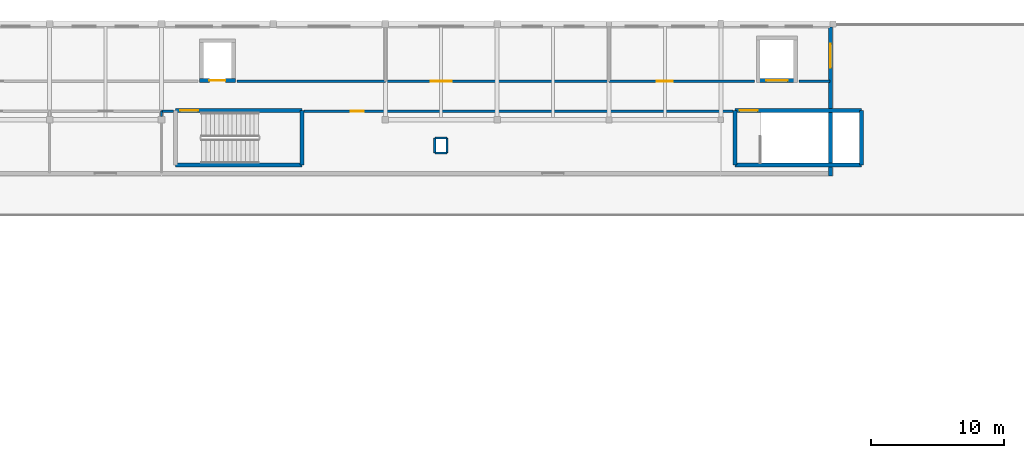
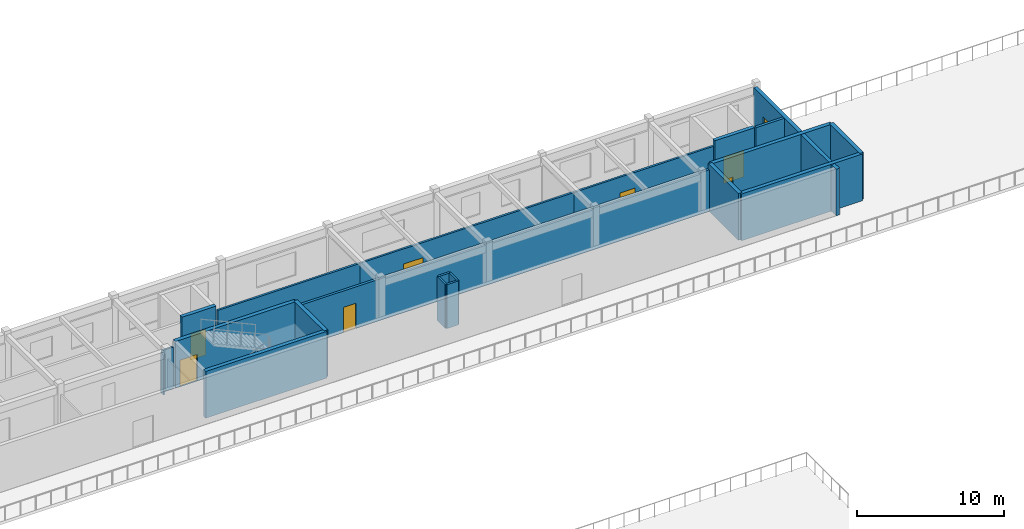
# One storey, part 7 of 14: 21 walls, 8 doors, 8 openings.
"""IFC4 building model written with IfcOpenShell, lengths in metres."""

import ifcopenshell
import ifcopenshell.guid

model = None  # the IFC model being written
_history = None  # IfcOwnerHistory: only IFC2X3 demands one
_inside = {}  # id of a spatial element -> (the spatial element, [elements in it])
_under = {}  # id of a project, library or spatial element -> (it, [spatial elements below it])
_declared = {}  # id of a project -> (the project, [libraries it declares])
_typed = {}  # id of a type object -> (the type object, [elements of that type])
_made_of = {}  # id of a material, layer set ... -> (it, [elements and type objects made of it])


def new_model(schema):
    """Start an empty IFC model of exactly this schema.

    Asked for "IFC4X3", IfcOpenShell would pick the latest addendum, in which some entities
    have other attributes; the version numbers below select the first issue.
    IFC2X3 requires an IfcOwnerHistory on every rooted entity: one is made here for all.
    """
    global model, _history
    if schema == "IFC4X3":
        model = ifcopenshell.file(schema_version=(4, 3, 0, 0))
    else:
        model = ifcopenshell.file(schema=schema)
    _inside.clear()
    _under.clear()
    _declared.clear()
    _typed.clear()
    _made_of.clear()
    _history = None
    if model.schema == "IFC2X3":
        org = make("IfcOrganization", Name="unknown")
        user = make(
            "IfcPersonAndOrganization",
            ThePerson=make("IfcPerson", FamilyName="unknown"),
            TheOrganization=org,
        )
        app = make(
            "IfcApplication",
            ApplicationDeveloper=org,
            Version="unknown",
            ApplicationFullName="unknown",
            ApplicationIdentifier="unknown",
        )
        _history = make(
            "IfcOwnerHistory",
            OwningUser=user,
            OwningApplication=app,
            ChangeAction="ADDED",
            CreationDate=0,
        )
    return model


def make(cls, **values):
    """One entity of the class cls with the attributes given. An attribute that is None is left unset."""
    return model.create_entity(
        cls, **{name: value for name, value in values.items() if value is not None}
    )


def rooted(cls, **values):
    """An entity with a GlobalId (a new one), such as an element, a storey or a relation."""
    return make(cls, GlobalId=ifcopenshell.guid.new(), OwnerHistory=_history, **values)


def si_unit(unit_type, name, prefix=None):
    """IfcSIUnit, for example si_unit("LENGTHUNIT", "METRE", prefix="MILLI")."""
    return make("IfcSIUnit", UnitType=unit_type, Prefix=prefix, Name=name)


def assignment(units):
    """IfcUnitAssignment: the units of a project."""
    return None if units is None else make("IfcUnitAssignment", Units=units)


def point(xyz):
    """IfcCartesianPoint."""
    return None if xyz is None else make("IfcCartesianPoint", Coordinates=xyz)


def direction(xyz):
    """IfcDirection."""
    return None if xyz is None else make("IfcDirection", DirectionRatios=xyz)


def frame(location, z_axis=None, x_axis=None):
    """IfcAxis2Placement3D, a coordinate frame: its origin and axes. An axis left out is left unset."""
    return make(
        "IfcAxis2Placement3D",
        Location=point(location),
        Axis=direction(z_axis),
        RefDirection=direction(x_axis),
    )


def frame_2d(location, x_axis=None):
    """IfcAxis2Placement2D, a coordinate frame in the plane: its origin and x axis."""
    return make(
        "IfcAxis2Placement2D", Location=point(location), RefDirection=direction(x_axis)
    )


def origin():
    """The frame at (0, 0, 0) with its axes left unset."""
    return frame((0.0, 0.0, 0.0))


def place(relative_to, where):
    """IfcLocalPlacement: puts the frame where relative to a parent placement (None: the world)."""
    return make(
        "IfcLocalPlacement", PlacementRelTo=relative_to, RelativePlacement=where
    )


def context(
    kind, dimensions, precision=None, world=None, true_north=None, identifier=None
):
    """IfcGeometricRepresentationContext, for example the 3D "Model" context."""
    return make(
        "IfcGeometricRepresentationContext",
        ContextIdentifier=identifier,
        ContextType=kind,
        CoordinateSpaceDimension=dimensions,
        Precision=precision,
        WorldCoordinateSystem=world,
        TrueNorth=true_north,
    )


def subcontext(parent, identifier, kind, view, scale=None):
    """IfcGeometricRepresentationSubContext, for example "Body" below "Model"."""
    return make(
        "IfcGeometricRepresentationSubContext",
        ContextIdentifier=identifier,
        ContextType=kind,
        ParentContext=parent,
        TargetScale=scale,
        TargetView=view,
    )


def project(units=None, contexts=None):
    """IfcProject with its units and contexts."""
    return rooted(
        "IfcProject",
        Name="project",
        RepresentationContexts=contexts,
        UnitsInContext=assignment(units),
    )


def spatial(cls, under=None, at=None, **own):
    """A site, building, storey or space (cls), placed at a placement, below another one or the project."""
    s = rooted(cls, ObjectPlacement=at, **own)
    if under is not None:
        _under.setdefault(under.id(), (under, []))[1].append(s)
    return s


def profile(cls, at=None, kind="AREA", **sizes):
    """A parametric profile (cls). Its sizes go by their IFC names, for example OverallWidth=200.0."""
    return make(cls, ProfileType=kind, Position=at, **sizes)


def rectangle(**sizes):
    """IfcRectangleProfileDef."""
    return profile("IfcRectangleProfileDef", **sizes)


def extrude(swept, where, along, depth):
    """IfcExtrudedAreaSolid: the profile swept, set in the frame where, extruded along a direction by depth."""
    return make(
        "IfcExtrudedAreaSolid",
        SweptArea=swept,
        Position=where,
        ExtrudedDirection=direction(along),
        Depth=depth,
    )


def shape(context_of_items, identifier, shape_type, items):
    """IfcShapeRepresentation: the items that make up one representation, for example the "Body"."""
    return make(
        "IfcShapeRepresentation",
        ContextOfItems=context_of_items,
        RepresentationIdentifier=identifier,
        RepresentationType=shape_type,
        Items=items,
    )


def material(Name=None, Category=None):
    """IfcMaterial."""
    return make("IfcMaterial", Name=Name, Category=Category)


def layer(
    of_material, thickness, ventilated=None, Name=None, Category=None, Priority=None
):
    """IfcMaterialLayer: one layer of a wall or slab, of a material (None: an air gap)."""
    return make(
        "IfcMaterialLayer",
        Material=of_material,
        LayerThickness=thickness,
        IsVentilated=ventilated,
        Name=Name,
        Category=Category,
        Priority=Priority,
    )


def layer_set(layers, Name=None):
    """IfcMaterialLayerSet."""
    return make("IfcMaterialLayerSet", MaterialLayers=layers, LayerSetName=Name)


def made_of(thing, what):
    """Note that an element or type object is made of a material, layer set ...; save() writes the relation."""
    if what is not None:
        _made_of.setdefault(what.id(), (what, []))[1].append(thing)
    return thing


def type_object(cls, material=None, **own):
    """A type object (cls), such as IfcWallType, which elements share."""
    return made_of(rooted(cls, **own), material)


def element(
    cls,
    number,
    at=None,
    inside=None,
    cuts=None,
    type_object=None,
    material=None,
    context=None,
    identifier="Body",
    shape_type=None,
    held_by="IfcProductDefinitionShape",
    body=None,
    shapes=None,
    **own,
):
    """One element of the class cls, such as IfcWall. Its Tag is "e" and its number.

    at: its placement. inside: the storey or other place that contains it. cuts: it is an
    opening in that element (IfcRelVoidsElement). A single representation is given by context,
    identifier, shape_type and body (its items); several are given by shapes. held_by: the class
    of the entity that holds the representations. save() writes the other relations.
    """
    e = rooted(cls, Tag="e%d" % number, ObjectPlacement=at, **own)
    if body is not None:
        shapes = [shape(context, identifier, shape_type, body)]
    if shapes is not None:
        e.Representation = make(held_by, Representations=shapes)
    if inside is not None:
        _inside.setdefault(inside.id(), (inside, []))[1].append(e)
    if cuts is not None:
        rooted(
            "IfcRelVoidsElement", RelatingBuildingElement=cuts, RelatedOpeningElement=e
        )
    if type_object is not None:
        _typed.setdefault(type_object.id(), (type_object, []))[1].append(e)
    return made_of(e, material)


def fill(opening, filler):
    """IfcRelFillsElement: the door or window that sits in an opening."""
    return rooted(
        "IfcRelFillsElement",
        RelatingOpeningElement=opening,
        RelatedBuildingElement=filler,
    )


def aggregate(whole, parts):
    """IfcRelAggregates: a whole, such as a stair, and the parts it consists of."""
    return rooted("IfcRelAggregates", RelatingObject=whole, RelatedObjects=parts)


def save(model, path):
    """Write the relations noted so far, then the file.

    IfcRelAggregates (storeys below a building ...), IfcRelContainedInSpatialStructure (elements
    in a storey), IfcRelDefinesByType, IfcRelAssociatesMaterial and IfcRelDeclares: one each for
    every whole, place, type object, material and project.
    """
    for whole, parts in _under.values():
        aggregate(whole, parts)
    for where, things in _inside.values():
        rooted(
            "IfcRelContainedInSpatialStructure",
            RelatedElements=things,
            RelatingStructure=where,
        )
    for kind, things in _typed.values():
        rooted("IfcRelDefinesByType", RelatedObjects=things, RelatingType=kind)
    for what, things in _made_of.values():
        rooted("IfcRelAssociatesMaterial", RelatedObjects=things, RelatingMaterial=what)
    for by, libraries in _declared.values():
        rooted("IfcRelDeclares", RelatingContext=by, RelatedDefinitions=libraries)
    model.write(path)


model = new_model("IFC4")

# Units and contexts
model_context = context("Model", 3, precision=1e-05, world=origin(), true_north=direction((0.0, 1.0)))
body_context = subcontext(model_context, "Body", "Model", "MODEL_VIEW")
ifc_project = project(units=[si_unit("LENGTHUNIT", "METRE"), si_unit("AREAUNIT", "SQUARE_METRE"), si_unit("VOLUMEUNIT", "CUBIC_METRE"), si_unit("PLANEANGLEUNIT", "RADIAN"), si_unit("MASSUNIT", "GRAM", prefix="KILO")], contexts=[model_context])

# Site, building, storey
site_placement = place(None, origin())
site = spatial("IfcSite", under=ifc_project, at=site_placement, CompositionType="ELEMENT")
building_placement = place(site_placement, origin())
building = spatial("IfcBuilding", under=site, at=building_placement, Name="Malvenik Polytechnic", CompositionType="ELEMENT")
storey_placement = place(building_placement, frame((0.0, 0.0, 21.89990234375)))
storey = spatial("IfcBuildingStorey", under=building, at=storey_placement, Name="L05", CompositionType="ELEMENT", Elevation=21.89990234375)

# Wall, opening, door
ifc_material_1 = material(Name="Concrete C35/45", Category="concrete")
ifc_layer_1 = layer(ifc_material_1, 0.280029296875)
ifc_layer_set_1 = layer_set([ifc_layer_1], Name="Concrete C35/45")
wall_type_1 = type_object("IfcWallType", Name="ARC-CW-S280", PredefinedType="SHEAR", material=ifc_layer_set_1)
wall_1_placement = place(storey_placement, frame((55.93994140625, 125.35009765625, 0.0), z_axis=(0.0, 0.0, 1.0), x_axis=(-1.0, 0.0, 0.0)))
wall_1 = element("IfcWall", 1, at=wall_1_placement, inside=storey, type_object=wall_type_1, Name="Lift Shaft Shear Wall LS-02 L05 -Y", PredefinedType="SHEAR", context=body_context, shape_type="SweptSolid", body=[
    extrude(rectangle(XDim=2.679931640625, YDim=0.280029296875, at=frame_2d((1.33984375, 0.0))), origin(), (0.0, 0.0, 1.0), 3.880126953125),
])
opening_1_placement = place(wall_1_placement, frame((0.739990234375, 0.0, 0.0)))
opening_1 = element("IfcOpeningElement", 2, at=opening_1_placement, cuts=wall_1, Name="Opening LD-02", PredefinedType="OPENING", context=body_context, shape_type="SweptSolid", body=[
    extrude(rectangle(XDim=1.199951171875, YDim=2.14990234375, at=frame_2d((0.60009765625, 1.074951171875))), frame((0.0, 0.14990234375, 0.0), z_axis=(0.0, -1.0, 0.0), x_axis=(1.0, 0.0, 0.0)), (0.0, 0.0, 1.0), 0.300048828125),
])
ifc_material_2 = material(Name="Stainless steel fire-rated sliding lift landing door", Category="steel")
door_type_1 = type_object("IfcDoorType", Name="ARC-LDR-LD-02", OperationType="NOTDEFINED", PredefinedType="DOOR", material=ifc_material_2)
door_1_placement = place(opening_1_placement, origin())
door_1 = element("IfcDoor", 3, at=door_1_placement, inside=storey, type_object=door_type_1, Name="Lift Sliding Landing Door LS-02 L05", OperationType="DOUBLE_DOOR_SLIDING", OverallHeight=2.14990234375, OverallWidth=1.199951171875, PredefinedType="DOOR", context=body_context, shape_type="SweptSolid", body=[
    extrude(rectangle(XDim=1.199951171875, YDim=2.14990234375, at=frame_2d((0.60009765625, 1.074951171875))), frame((0.0, 0.02490234375, 0.0), z_axis=(0.0, -1.0, 0.0), x_axis=(1.0, 0.0, 0.0)), (0.0, 0.0, 1.0), 0.050048828125),
])
fill(opening_1, door_1)

wall_2_placement = place(storey_placement, frame((98.139892578125, 125.35009765625, 0.0), z_axis=(0.0, 0.0, 1.0), x_axis=(-1.0, 0.0, 0.0)))
wall_2 = element("IfcWall", 4, at=wall_2_placement, inside=storey, type_object=wall_type_1, Name="Lift Shaft Shear Wall LG-01 L05 -Y", PredefinedType="SHEAR", context=body_context, shape_type="SweptSolid", body=[
    extrude(rectangle(XDim=3.079833984375, YDim=0.280029296875, at=frame_2d((1.5400390625, 0.0))), origin(), (0.0, 0.0, 1.0), 3.880126953125),
])
opening_2_placement = place(wall_2_placement, frame((0.739990234375, 0.0, 0.0)))
opening_2 = element("IfcOpeningElement", 5, at=opening_2_placement, cuts=wall_2, Name="Opening LD-03", PredefinedType="OPENING", context=body_context, shape_type="SweptSolid", body=[
    extrude(rectangle(XDim=1.60009765625, YDim=2.199951171875, at=frame_2d((0.800048828125, 1.10009765625))), frame((0.0, 0.14990234375, 0.0), z_axis=(0.0, -1.0, 0.0), x_axis=(1.0, 0.0, 0.0)), (0.0, 0.0, 1.0), 0.300048828125),
])
door_type_2 = type_object("IfcDoorType", Name="ARC-LDR-LD-03", OperationType="NOTDEFINED", PredefinedType="DOOR", material=ifc_material_2)
door_2_placement = place(opening_2_placement, origin())
door_2 = element("IfcDoor", 6, at=door_2_placement, inside=storey, type_object=door_type_2, Name="Lift Sliding Landing Door LG-01 L05", OperationType="DOUBLE_DOOR_SLIDING", OverallHeight=2.199951171875, OverallWidth=1.60009765625, PredefinedType="DOOR", context=body_context, shape_type="SweptSolid", body=[
    extrude(rectangle(XDim=1.60009765625, YDim=2.199951171875, at=frame_2d((0.800048828125, 1.10009765625))), frame((0.0, 0.02490234375, 0.0), z_axis=(0.0, -1.0, 0.0), x_axis=(1.0, 0.0, 0.0)), (0.0, 0.0, 1.0), 0.050048828125),
])
fill(opening_2, door_2)

ifc_layer_2 = layer(ifc_material_1, 0.300048828125)
ifc_layer_set_2 = layer_set([ifc_layer_2], Name="Concrete C35/45")
wall_type_2 = type_object("IfcWallType", Name="ARC-CW-S300", PredefinedType="SHEAR", material=ifc_layer_set_2)
wall_3_placement = place(storey_placement, frame((51.449951171875, 123.10009765625, 0.0), z_axis=(0.0, 0.0, 1.0), x_axis=(1.0, 0.0, 0.0)))
wall_3 = element("IfcWall", 7, at=wall_3_placement, inside=storey, type_object=wall_type_2, Name="Stair Core Shear Wall ST-02 L05 RGHT", PredefinedType="SHEAR", context=body_context, shape_type="SweptSolid", body=[
    extrude(rectangle(XDim=9.5, YDim=0.300048828125, at=frame_2d((4.75, 0.0))), origin(), (0.0, 0.0, 1.0), 3.880126953125),
])
opening_3_placement = place(wall_3_placement, frame((0.35009765625, 0.0, 0.0)))
opening_3 = element("IfcOpeningElement", 8, at=opening_3_placement, cuts=wall_3, Name="Opening SD-01", PredefinedType="OPENING", context=body_context, shape_type="SweptSolid", body=[
    extrude(rectangle(XDim=1.35009765625, YDim=2.199951171875, at=frame_2d((0.675048828125, 1.10009765625))), frame((0.0, 0.16015625, 0.0), z_axis=(0.0, -1.0, 0.0), x_axis=(1.0, 0.0, 0.0)), (0.0, 0.0, 1.0), 0.320068359375),
])
ifc_material_3 = material(Name="Fire-rated steel stair enclosure door", Category="steel")
door_type_3 = type_object("IfcDoorType", Name="ARC-IDR-SD-01", OperationType="NOTDEFINED", PredefinedType="DOOR", material=ifc_material_3)
door_3_placement = place(opening_3_placement, origin())
door_3 = element("IfcDoor", 9, at=door_3_placement, inside=storey, type_object=door_type_3, Name="Fire Stair Door ST-02 L05", OperationType="SINGLE_SWING_RIGHT", OverallHeight=2.199951171875, OverallWidth=1.35009765625, PredefinedType="DOOR", context=body_context, shape_type="SweptSolid", body=[
    extrude(rectangle(XDim=1.35009765625, YDim=2.199951171875, at=frame_2d((0.675048828125, 1.10009765625))), frame((0.0, 0.02490234375, 0.0), z_axis=(0.0, -1.0, 0.0), x_axis=(1.0, 0.0, 0.0)), (0.0, 0.0, 1.0), 0.050048828125),
])
fill(opening_3, door_3)

# Walls
wall_4_placement = place(storey_placement, frame((60.949951171875, 123.10009765625, 0.0), z_axis=(0.0, 0.0, 1.0), x_axis=(0.0, -1.0, 0.0)))
element("IfcWall", 10, at=wall_4_placement, inside=storey, type_object=wall_type_2, Name="Stair Core Shear Wall ST-02 L05 FAR", PredefinedType="SHEAR", context=body_context, shape_type="SweptSolid", body=[
    extrude(rectangle(XDim=4.10009765625, YDim=0.300048828125, at=frame_2d((2.050048828125, 0.0))), origin(), (0.0, 0.0, 1.0), 3.880126953125),
])
wall_5_placement = place(storey_placement, frame((60.949951171875, 119.0, 0.0), z_axis=(0.0, 0.0, 1.0), x_axis=(-1.0, 0.0, 0.0)))
element("IfcWall", 11, at=wall_5_placement, inside=storey, type_object=wall_type_2, Name="Stair Core Shear Wall ST-02 L05 LEFT", PredefinedType="SHEAR", context=body_context, shape_type="SweptSolid", body=[
    extrude(rectangle(XDim=9.5, YDim=0.300048828125, at=frame_2d((4.75, 0.0))), origin(), (0.0, 0.0, 1.0), 3.880126953125),
])
wall_6_placement = place(storey_placement, frame((93.449951171875, 119.0, 0.0), z_axis=(0.0, 0.0, 1.0), x_axis=(0.0, 1.0, 0.0)))
element("IfcWall", 12, at=wall_6_placement, inside=storey, type_object=wall_type_2, Name="Stair Core Shear Wall ST-03 L05 NEAR", PredefinedType="SHEAR", context=body_context, shape_type="SweptSolid", body=[
    extrude(rectangle(XDim=4.10009765625, YDim=0.300048828125, at=frame_2d((2.050048828125, 0.0))), origin(), (0.0, 0.0, 1.0), 3.880126953125),
])

# Wall, opening, door
wall_7_placement = place(storey_placement, frame((93.449951171875, 123.10009765625, 0.0), z_axis=(0.0, 0.0, 1.0), x_axis=(1.0, 0.0, 0.0)))
wall_7 = element("IfcWall", 13, at=wall_7_placement, inside=storey, type_object=wall_type_2, Name="Stair Core Shear Wall ST-03 L05 RGHT", PredefinedType="SHEAR", context=body_context, shape_type="SweptSolid", body=[
    extrude(rectangle(XDim=9.5, YDim=0.300048828125, at=frame_2d((4.75, 0.0))), origin(), (0.0, 0.0, 1.0), 3.880126953125),
])
opening_4_placement = place(wall_7_placement, frame((0.35009765625, 0.0, 0.0)))
opening_4 = element("IfcOpeningElement", 14, at=opening_4_placement, cuts=wall_7, Name="Opening SD-01", PredefinedType="OPENING", context=body_context, shape_type="SweptSolid", body=[
    extrude(rectangle(XDim=1.35009765625, YDim=2.199951171875, at=frame_2d((0.675048828125, 1.10009765625))), frame((0.0, 0.16015625, 0.0), z_axis=(0.0, -1.0, 0.0), x_axis=(1.0, 0.0, 0.0)), (0.0, 0.0, 1.0), 0.320068359375),
])
door_4_placement = place(opening_4_placement, origin())
door_4 = element("IfcDoor", 15, at=door_4_placement, inside=storey, type_object=door_type_3, Name="Fire Stair Door ST-03 L05", OperationType="SINGLE_SWING_RIGHT", OverallHeight=2.199951171875, OverallWidth=1.35009765625, PredefinedType="DOOR", context=body_context, shape_type="SweptSolid", body=[
    extrude(rectangle(XDim=1.35009765625, YDim=2.199951171875, at=frame_2d((0.675048828125, 1.10009765625))), frame((0.0, 0.02490234375, 0.0), z_axis=(0.0, -1.0, 0.0), x_axis=(1.0, 0.0, 0.0)), (0.0, 0.0, 1.0), 0.050048828125),
])
fill(opening_4, door_4)

# Walls
wall_8_placement = place(storey_placement, frame((102.949951171875, 123.10009765625, 0.0), z_axis=(0.0, 0.0, 1.0), x_axis=(0.0, -1.0, 0.0)))
element("IfcWall", 16, at=wall_8_placement, inside=storey, type_object=wall_type_2, Name="Stair Core Shear Wall ST-03 L05 FAR", PredefinedType="SHEAR", context=body_context, shape_type="SweptSolid", body=[
    extrude(rectangle(XDim=4.10009765625, YDim=0.300048828125, at=frame_2d((2.050048828125, 0.0))), origin(), (0.0, 0.0, 1.0), 3.880126953125),
])
wall_9_placement = place(storey_placement, frame((102.949951171875, 119.0, 0.0), z_axis=(0.0, 0.0, 1.0), x_axis=(-1.0, 0.0, 0.0)))
element("IfcWall", 17, at=wall_9_placement, inside=storey, type_object=wall_type_2, Name="Stair Core Shear Wall ST-03 L05 LEFT", PredefinedType="SHEAR", context=body_context, shape_type="SweptSolid", body=[
    extrude(rectangle(XDim=9.5, YDim=0.300048828125, at=frame_2d((4.75, 0.0))), origin(), (0.0, 0.0, 1.0), 3.880126953125),
])

# Wall, opening, door
ifc_material_4 = material(Name="Brick masonry M15", Category="masonry")
ifc_layer_3 = layer(ifc_material_4, 0.2900390625)
ifc_layer_set_3 = layer_set([ifc_layer_3], Name="Brick masonry M15")
wall_type_3 = type_object("IfcWallType", Name="ARC-EW-290", PredefinedType="SOLIDWALL", material=ifc_layer_set_3)
wall_10_placement = place(storey_placement, frame((100.6298828125, 129.376953125, 0.0), z_axis=(0.0, 0.0, 1.0), x_axis=(0.0, -1.0, 0.0)))
wall_10 = element("IfcWall", 18, at=wall_10_placement, inside=storey, type_object=wall_type_3, Name="External Facade Wall EW-04 L05 #481", PredefinedType="SOLIDWALL", context=body_context, shape_type="SweptSolid", body=[
    extrude(rectangle(XDim=11.177001953125, YDim=0.2900390625, at=frame_2d((5.58837890625, 0.0))), origin(), (0.0, 0.0, 1.0), 3.860107421875),
])
opening_5_placement = place(wall_10_placement, frame((1.277099609375, 0.0, 0.0)))
opening_5 = element("IfcOpeningElement", 19, at=opening_5_placement, cuts=wall_10, Name="Opening TD-01", PredefinedType="OPENING", context=body_context, shape_type="SweptSolid", body=[
    extrude(rectangle(XDim=1.800048828125, YDim=2.199951171875, at=frame_2d((0.89990234375, 1.10009765625))), frame((0.0, 0.155029296875, 0.0), z_axis=(0.0, -1.0, 0.0), x_axis=(1.0, 0.0, 0.0)), (0.0, 0.0, 1.0), 0.31005859375),
])
ifc_material_5 = material(Name="Thermally broken glazed aluminium terrace door", Category="aluminium")
door_type_4 = type_object("IfcDoorType", Name="ARC-EDR-TD-01", OperationType="NOTDEFINED", PredefinedType="DOOR", material=ifc_material_5)
door_5_placement = place(opening_5_placement, origin())
door_5 = element("IfcDoor", 20, at=door_5_placement, inside=storey, type_object=door_type_4, Name="External Door TD-01 L05 #46", OperationType="DOUBLE_DOOR_SINGLE_SWING", OverallHeight=2.199951171875, OverallWidth=1.800048828125, PredefinedType="DOOR", context=body_context, shape_type="SweptSolid", body=[
    extrude(rectangle(XDim=1.800048828125, YDim=2.199951171875, at=frame_2d((0.89990234375, 1.10009765625))), frame((0.0, 0.02490234375, 0.0), z_axis=(0.0, -1.0, 0.0), x_axis=(1.0, 0.0, 0.0)), (0.0, 0.0, 1.0), 0.050048828125),
])
fill(opening_5, door_5)

# Wall
ifc_material_6 = material(Name="Calcium silicate fire-rated blockwork 200mm", Category="masonry")
ifc_layer_4 = layer(ifc_material_6, 0.199951171875)
ifc_layer_set_4 = layer_set([ifc_layer_4], Name="Calcium silicate fire-rated blockwork 200mm")
wall_type_4 = type_object("IfcWallType", Name="ARC-FW-200", PredefinedType="SOLIDWALL", material=ifc_layer_set_4)
wall_11_placement = place(storey_placement, frame((98.27001953125, 125.300048828125, 0.0), z_axis=(0.0, 0.0, 1.0), x_axis=(1.0, 0.0, 0.0)))
element("IfcWall", 21, at=wall_11_placement, inside=storey, type_object=wall_type_4, Name="Interior Partition FW-02 L05 #398", PredefinedType="SOLIDWALL", context=body_context, shape_type="SweptSolid", body=[
    extrude(rectangle(XDim=2.31005859375, YDim=0.199951171875, at=frame_2d((1.155029296875, 0.0))), origin(), (0.0, 0.0, 1.0), 3.85009765625),
])

# Wall, opening, door
wall_12_placement = place(storey_placement, frame((93.31005859375, 123.050048828125, 0.0), z_axis=(0.0, 0.0, 1.0), x_axis=(-1.0, 0.0, 0.0)))
wall_12 = element("IfcWall", 22, at=wall_12_placement, inside=storey, type_object=wall_type_4, Name="Interior Partition FW-02 L05 #412", PredefinedType="SOLIDWALL", context=body_context, shape_type="SweptSolid", body=[
    extrude(rectangle(XDim=32.219970703125, YDim=0.199951171875, at=frame_2d((16.10986328125, 0.0))), origin(), (0.0, 0.0, 1.0), 3.455078125),
])
opening_6_placement = place(wall_12_placement, frame((27.7099609375, 0.0, 0.0)))
opening_6 = element("IfcOpeningElement", 23, at=opening_6_placement, cuts=wall_12, Name="Opening FD-07", PredefinedType="OPENING", context=body_context, shape_type="SweptSolid", body=[
    extrude(rectangle(XDim=1.0, YDim=2.10009765625, at=frame_2d((0.5, 1.050048828125))), frame((0.0, 0.10986328125, 0.0), z_axis=(0.0, -1.0, 0.0), x_axis=(1.0, 0.0, 0.0)), (0.0, 0.0, 1.0), 0.219970703125),
])
ifc_material_7 = material(Name="Fire-rated washroom corridor door", Category="steel")
door_type_5 = type_object("IfcDoorType", Name="ARC-IDR-FD-07", OperationType="NOTDEFINED", PredefinedType="DOOR", material=ifc_material_7)
door_6_placement = place(opening_6_placement, origin())
door_6 = element("IfcDoor", 24, at=door_6_placement, inside=storey, type_object=door_type_5, Name="Interior Door FD-07 L05 #172", OperationType="SINGLE_SWING_RIGHT", OverallHeight=2.10009765625, OverallWidth=1.0, PredefinedType="DOOR", context=body_context, shape_type="SweptSolid", body=[
    extrude(rectangle(XDim=1.0, YDim=2.10009765625, at=frame_2d((0.5, 1.050048828125))), frame((0.0, 0.02490234375, 0.0), z_axis=(0.0, -1.0, 0.0), x_axis=(1.0, 0.0, 0.0)), (0.0, 0.0, 1.0), 0.050048828125),
])
fill(opening_6, door_6)

# Walls
ifc_material_8 = material(Name="Acoustic metal-stud gypsum partition 140mm", Category="gypsum")
ifc_layer_5 = layer(ifc_material_8, 0.139892578125)
ifc_layer_set_5 = layer_set([ifc_layer_5], Name="Acoustic metal-stud gypsum partition 140mm")
wall_type_5 = type_object("IfcWallType", Name="ARC-PW-140", PredefinedType="PARTITIONING", material=ifc_layer_set_5)
wall_13_placement = place(storey_placement, frame((50.39990234375, 122.669921875, 0.0), z_axis=(0.0, 0.0, 1.0), x_axis=(0.0, 1.0, 0.0)))
element("IfcWall", 25, at=wall_13_placement, inside=storey, type_object=wall_type_5, Name="Interior Partition PW-02I L05 #411", PredefinedType="PARTITIONING", context=body_context, shape_type="SweptSolid", body=[
    extrude(rectangle(XDim=0.380126953125, YDim=0.139892578125, at=frame_2d((0.18994140625, 0.0))), origin(), (0.0, 0.0, 1.0), 3.30517578125),
])
ifc_material_9 = material(Name="Double-stud acoustic gypsum board partition 160mm", Category="gypsum")
ifc_layer_6 = layer(ifc_material_9, 0.159912109375)
ifc_layer_set_6 = layer_set([ifc_layer_6], Name="Double-stud acoustic gypsum board partition 160mm")
wall_type_6 = type_object("IfcWallType", Name="ARC-PW-160", PredefinedType="PARTITIONING", material=ifc_layer_set_6)
for number, where, z_axis, x_axis, name in (
    (26, (70.919921875, 119.919921875, 0.0), (0.0, 0.0, 1.0), (1.0, 0.0, 0.0), "Riser Shaft Enclosure L05 #52S"),
    (27, (71.830078125, 121.030029296875, 0.0), (0.0, 0.0, 1.0), (-1.0, 0.0, 0.0), "Riser Shaft Enclosure L05 #52N"),
):
    element("IfcWall", number, at=place(storey_placement, frame(where, z_axis=z_axis, x_axis=x_axis)), inside=storey, type_object=wall_type_6, Name=name, PredefinedType="PARTITIONING", context=body_context, shape_type="SweptSolid", body=[
        extrude(rectangle(XDim=0.91015625, YDim=0.159912109375, at=frame_2d((0.455078125, 0.0))), origin(), (0.0, 0.0, 1.0), 3.650146484375),
    ])
for number, where, z_axis, x_axis, name in (
    (28, (70.919921875, 121.030029296875, 0.0), (0.0, 0.0, 1.0), (0.0, -1.0, 0.0), "Riser Shaft Enclosure L05 #52W"),
    (29, (71.830078125, 119.919921875, 0.0), (0.0, 0.0, 1.0), (0.0, 1.0, 0.0), "Riser Shaft Enclosure L05 #52E"),
):
    element("IfcWall", number, at=place(storey_placement, frame(where, z_axis=z_axis, x_axis=x_axis)), inside=storey, type_object=wall_type_6, Name=name, PredefinedType="PARTITIONING", context=body_context, shape_type="SweptSolid", body=[
        extrude(rectangle(XDim=1.110107421875, YDim=0.159912109375, at=frame_2d((0.55517578125, 0.0))), origin(), (0.0, 0.0, 1.0), 3.650146484375),
    ])
wall_14_placement = place(storey_placement, frame((56.070068359375, 125.300048828125, 0.0), z_axis=(0.0, 0.0, 1.0), x_axis=(1.0, 0.0, 0.0)))
element("IfcWall", 30, at=wall_14_placement, inside=storey, type_object=wall_type_6, Name="Interior Partition PW-01I L05 #393", PredefinedType="PARTITIONING", context=body_context, shape_type="SweptSolid", body=[
    extrude(rectangle(XDim=11.1298828125, YDim=0.159912109375, at=frame_2d((5.56494140625, 0.0))), origin(), (0.0, 0.0, 1.0), 3.455078125),
])

# Wall, opening, door
wall_15_placement = place(storey_placement, frame((67.199951171875, 125.300048828125, 0.0), z_axis=(0.0, 0.0, 1.0), x_axis=(1.0, 0.0, 0.0)))
wall_15 = element("IfcWall", 31, at=wall_15_placement, inside=storey, type_object=wall_type_6, Name="Interior Partition PW-01I L05 #395", PredefinedType="PARTITIONING", context=body_context, shape_type="SweptSolid", body=[
    extrude(rectangle(XDim=16.800048828125, YDim=0.159912109375, at=frame_2d((8.39990234375, 0.0))), origin(), (0.0, 0.0, 1.0), 3.455078125),
])
opening_7_placement = place(wall_15_placement, frame((3.425048828125, 0.0, 0.0)))
opening_7 = element("IfcOpeningElement", 32, at=opening_7_placement, cuts=wall_15, Name="Opening FD-09", PredefinedType="OPENING", context=body_context, shape_type="SweptSolid", body=[
    extrude(rectangle(XDim=1.550048828125, YDim=2.199951171875, at=frame_2d((0.77490234375, 1.10009765625))), frame((0.0, 0.08984375, 0.0), z_axis=(0.0, -1.0, 0.0), x_axis=(1.0, 0.0, 0.0)), (0.0, 0.0, 1.0), 0.179931640625),
])
ifc_material_10 = material(Name="Fire-rated studio corridor double door", Category="steel")
door_type_6 = type_object("IfcDoorType", Name="ARC-IDR-FD-09", OperationType="NOTDEFINED", PredefinedType="DOOR", material=ifc_material_10)
door_7_placement = place(opening_7_placement, origin())
door_7 = element("IfcDoor", 33, at=door_7_placement, inside=storey, type_object=door_type_6, Name="Interior Door FD-09 L05 #166", OperationType="DOUBLE_DOOR_SINGLE_SWING", OverallHeight=2.199951171875, OverallWidth=1.550048828125, PredefinedType="DOOR", context=body_context, shape_type="SweptSolid", body=[
    extrude(rectangle(XDim=1.550048828125, YDim=2.199951171875, at=frame_2d((0.77490234375, 1.10009765625))), frame((0.0, 0.02490234375, 0.0), z_axis=(0.0, -1.0, 0.0), x_axis=(1.0, 0.0, 0.0)), (0.0, 0.0, 1.0), 0.050048828125),
])
fill(opening_7, door_7)

wall_16_placement = place(storey_placement, frame((84.0, 125.300048828125, 0.0), z_axis=(0.0, 0.0, 1.0), x_axis=(1.0, 0.0, 0.0)))
wall_16 = element("IfcWall", 34, at=wall_16_placement, inside=storey, type_object=wall_type_6, Name="Interior Partition PW-01I L05 #397", PredefinedType="PARTITIONING", context=body_context, shape_type="SweptSolid", body=[
    extrude(rectangle(XDim=10.929931640625, YDim=0.159912109375, at=frame_2d((5.46484375, 0.0))), origin(), (0.0, 0.0, 1.0), 3.455078125),
])
opening_8_placement = place(wall_16_placement, frame((3.60009765625, 0.0, 0.0)))
opening_8 = element("IfcOpeningElement", 35, at=opening_8_placement, cuts=wall_16, Name="Opening FD-10", PredefinedType="OPENING", context=body_context, shape_type="SweptSolid", body=[
    extrude(rectangle(XDim=1.199951171875, YDim=2.14990234375, at=frame_2d((0.60009765625, 1.074951171875))), frame((0.0, 0.08984375, 0.0), z_axis=(0.0, -1.0, 0.0), x_axis=(1.0, 0.0, 0.0)), (0.0, 0.0, 1.0), 0.179931640625),
])
ifc_material_11 = material(Name="Fire-rated laboratory corridor door", Category="steel")
door_type_7 = type_object("IfcDoorType", Name="ARC-IDR-FD-10", OperationType="NOTDEFINED", PredefinedType="DOOR", material=ifc_material_11)
door_8_placement = place(opening_8_placement, origin())
door_8 = element("IfcDoor", 36, at=door_8_placement, inside=storey, type_object=door_type_7, Name="Interior Door FD-10 L05 #167", OperationType="SINGLE_SWING_RIGHT", OverallHeight=2.14990234375, OverallWidth=1.199951171875, PredefinedType="DOOR", context=body_context, shape_type="SweptSolid", body=[
    extrude(rectangle(XDim=1.199951171875, YDim=2.14990234375, at=frame_2d((0.60009765625, 1.074951171875))), frame((0.0, 0.02490234375, 0.0), z_axis=(0.0, -1.0, 0.0), x_axis=(1.0, 0.0, 0.0)), (0.0, 0.0, 1.0), 0.050048828125),
])
fill(opening_8, door_8)

# Wall
wall_17_placement = place(storey_placement, frame((51.31005859375, 123.050048828125, 0.0), z_axis=(0.0, 0.0, 1.0), x_axis=(-1.0, 0.0, 0.0)))
element("IfcWall", 37, at=wall_17_placement, inside=storey, type_object=wall_type_6, Name="Interior Partition PW-01I L05 #413", PredefinedType="PARTITIONING", context=body_context, shape_type="SweptSolid", body=[
    extrude(rectangle(XDim=0.91015625, YDim=0.159912109375, at=frame_2d((0.455078125, 0.0))), origin(), (0.0, 0.0, 1.0), 3.455078125),
])

save(model, "model.ifc")
